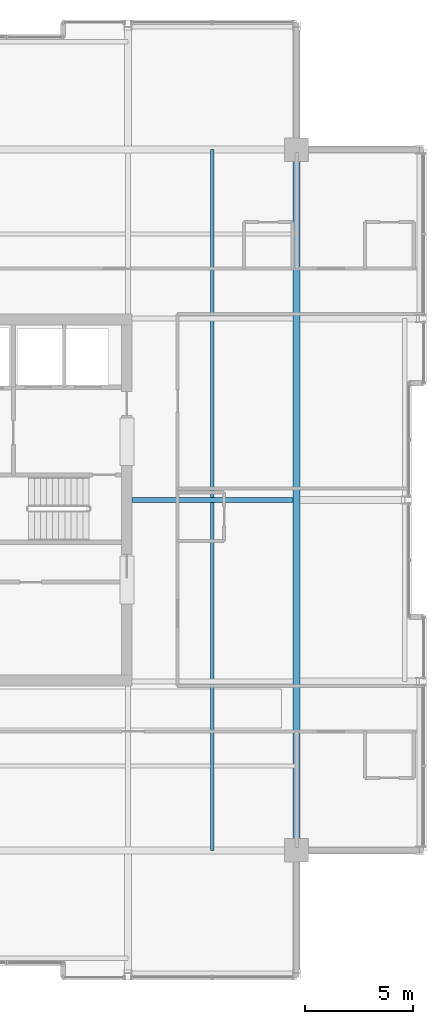
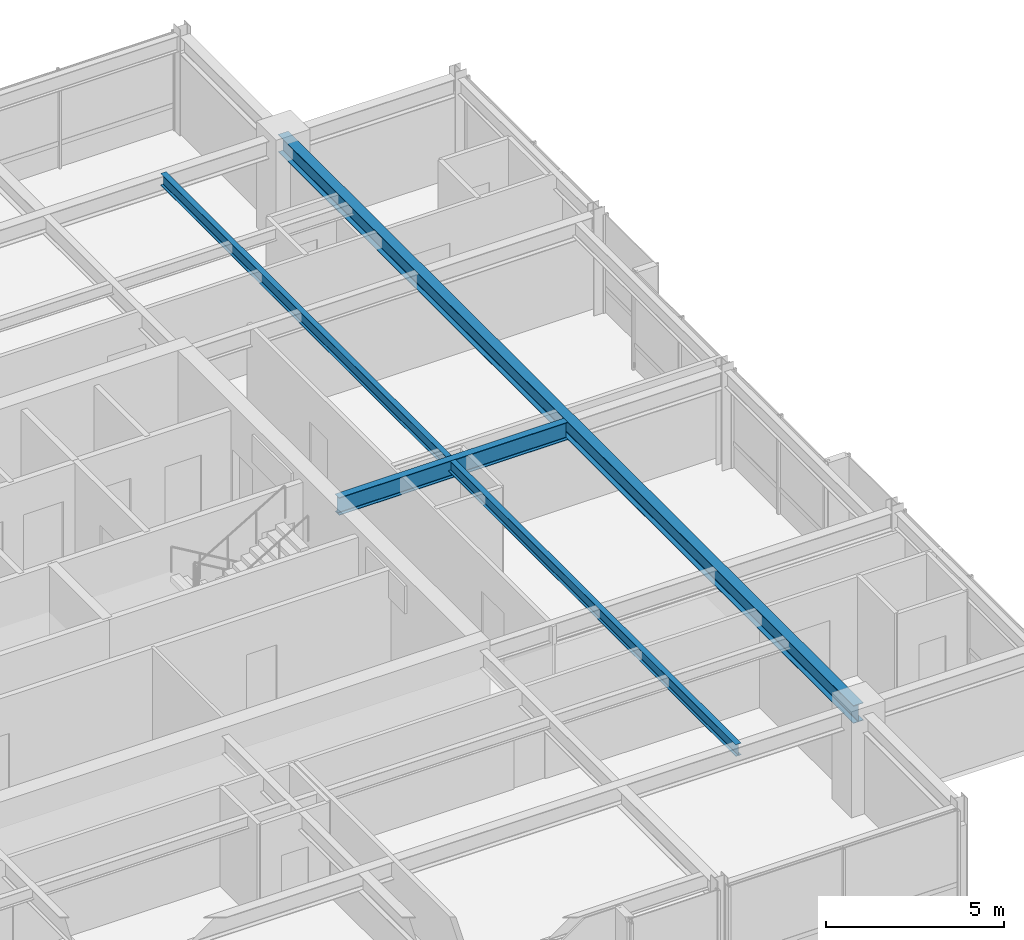
# One storey, part 17 of 33: 3 beams.
"""IFC4 building model written with IfcOpenShell, lengths in metres."""

from ifc_helpers import new_model, si_unit, direction, frame, origin, origin_2d, place, context, subcontext, project, spatial, i_section, extrude, material, material_profile, profile_set, type_object, element, save


model = new_model("IFC4")

# Units and contexts
model_context = context("Model", 3, precision=1e-05, world=origin(), true_north=direction((0.0, 1.0)))
body_context = subcontext(model_context, "Body", "Model", "MODEL_VIEW")
ifc_project = project(units=[si_unit("LENGTHUNIT", "METRE"), si_unit("AREAUNIT", "SQUARE_METRE"), si_unit("VOLUMEUNIT", "CUBIC_METRE"), si_unit("PLANEANGLEUNIT", "RADIAN"), si_unit("MASSUNIT", "GRAM", prefix="KILO")], contexts=[model_context])

# Site, building, storey
site_placement = place(None, origin())
site = spatial("IfcSite", under=ifc_project, at=site_placement, CompositionType="ELEMENT")
building_placement = place(site_placement, origin())
building = spatial("IfcBuilding", under=site, at=building_placement, Name="Drelvath Grand Hotel", CompositionType="ELEMENT")
storey_placement = place(building_placement, frame((0.0, 0.0, 279.60009765625)))
storey = spatial("IfcBuildingStorey", under=building, at=storey_placement, Name="L73", CompositionType="ELEMENT", Elevation=279.60009765625)

# Beams
ifc_material = material(Name="Steel ASTM A992 Gr 50", Category="steel")
ifc_material_profile_1 = material_profile(ifc_material, i_section(OverallWidth=0.177734375, OverallDepth=0.40673828125, WebThickness=0.0078125, FlangeThickness=0.0126953125, FilletRadius=0.014892578125, at=origin_2d()), Name="W16X40")
ifc_profile_set_1 = profile_set([ifc_material_profile_1], Name="Steel ASTM A992 Gr 50")
beam_type_1 = type_object("IfcBeamType", Name="Composite Floor Joist W16X40", PredefinedType="JOIST", material=ifc_profile_set_1)
beam_1_placement = place(storey_placement, frame((12.300048828125, 10.800048828125, 3.1865234375), z_axis=(0.0, 1.0, 0.0), x_axis=(-1.0, 0.0, 0.0)))
element("IfcBeam", 1, at=beam_1_placement, inside=storey, type_object=beam_type_1, Name="L73 Wing Floor Joist J4", PredefinedType="JOIST", context=body_context, shape_type="SweptSolid", body=[
    extrude(i_section(OverallWidth=0.177734375, OverallDepth=0.40673828125, WebThickness=0.0078125, FlangeThickness=0.0126953125, FilletRadius=0.014892578125, at=origin_2d()), origin(), (0.0, 0.0, 1.0), 32.39990234375),
])
ifc_material_profile_2 = material_profile(ifc_material, i_section(OverallWidth=0.323974609375, OverallDepth=0.611083984375, WebThickness=0.0126953125, FlangeThickness=0.01904296875, FilletRadius=0.02197265625, at=origin_2d()), Name="W24X104")
ifc_profile_set_2 = profile_set([ifc_material_profile_2], Name="Steel ASTM A992 Gr 50")
beam_type_2 = type_object("IfcBeamType", Name="Primary Floor Girder W24X104", PredefinedType="BEAM", material=ifc_profile_set_2)
beam_2_placement = place(storey_placement, frame((16.199951171875, 10.800048828125, 3.08447265625), z_axis=(0.0, 1.0, 0.0), x_axis=(-1.0, 0.0, 0.0)))
element("IfcBeam", 2, at=beam_2_placement, inside=storey, type_object=beam_type_2, Name="L73 Mega Ring Girder East", PredefinedType="BEAM", context=body_context, shape_type="SweptSolid", body=[
    extrude(i_section(OverallWidth=0.323974609375, OverallDepth=0.611083984375, WebThickness=0.0126953125, FlangeThickness=0.01904296875, FilletRadius=0.02197265625, at=origin_2d()), origin(), (0.0, 0.0, 1.0), 32.39990234375),
])
ifc_material_profile_3 = material_profile(ifc_material, i_section(OverallWidth=0.228271484375, OverallDepth=0.607666015625, WebThickness=0.01123046875, FlangeThickness=0.017333984375, FilletRadius=0.02001953125, at=origin_2d()), Name="W24X76")
ifc_profile_set_3 = profile_set([ifc_material_profile_3], Name="Steel ASTM A992 Gr 50")
beam_type_3 = type_object("IfcBeamType", Name="Primary Floor Girder W24X76", PredefinedType="BEAM", material=ifc_profile_set_3)
beam_3_placement = place(storey_placement, frame((8.60009765625, 27.0, 3.086181640625), z_axis=(1.0, 0.0, 0.0), x_axis=(0.0, 1.0, 0.0)))
element("IfcBeam", 3, at=beam_3_placement, inside=storey, type_object=beam_type_3, Name="L73 East Core Tie E", PredefinedType="BEAM", context=body_context, shape_type="SweptSolid", body=[
    extrude(i_section(OverallWidth=0.228271484375, OverallDepth=0.607666015625, WebThickness=0.01123046875, FlangeThickness=0.017333984375, FilletRadius=0.02001953125, at=origin_2d()), origin(), (0.0, 0.0, 1.0), 7.43798828125),
])

save(model, "model.ifc")
